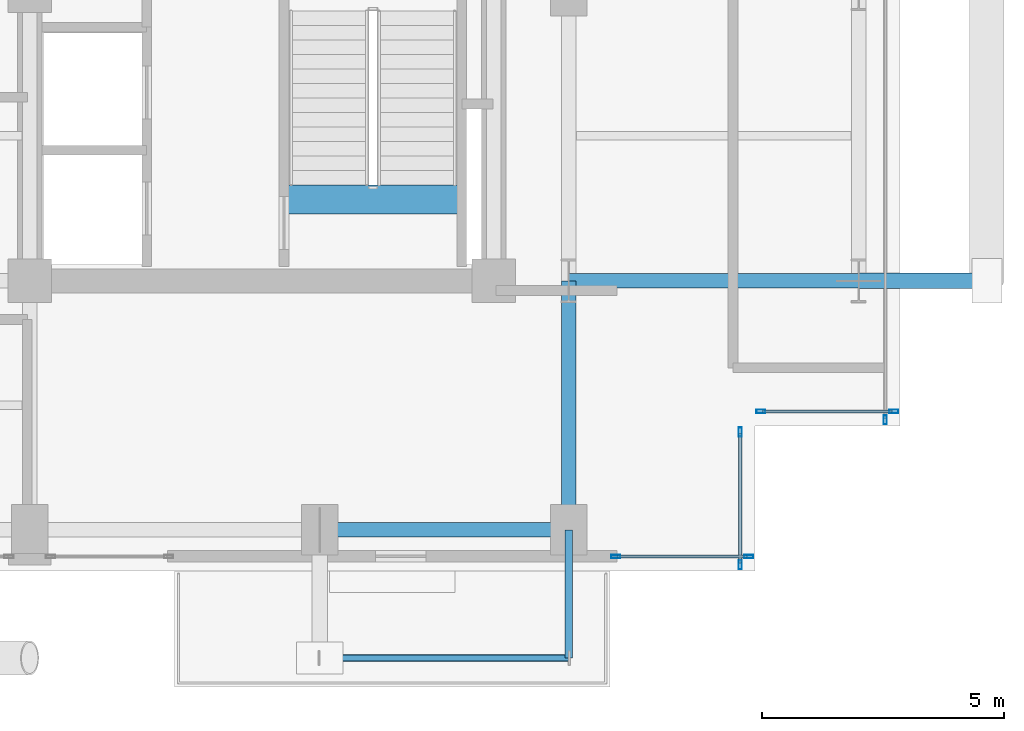
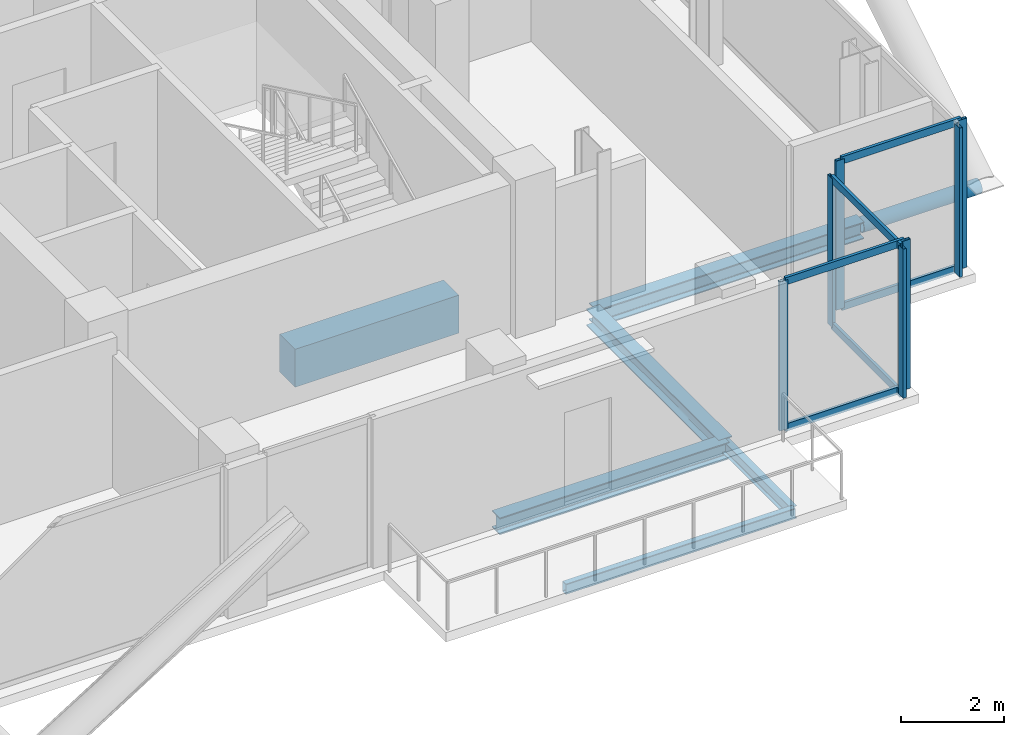
# One storey, part 11 of 25: 14 members, 6 beams, 4 elements without a shape of their own.
"""IFC4 building model written with IfcOpenShell, lengths in metres."""

from ifc_helpers import new_model, si_unit, direction, frame, origin, origin_2d, place, context, subcontext, project, spatial, rectangle, hollow_rectangle, hollow_circle, i_section, extrude, material, layer, layer_set, material_profile, profile_set, type_object, element, aggregate, save


model = new_model("IFC4")

# Units and contexts
model_context = context("Model", 3, precision=1e-05, world=origin(), true_north=direction((0.0, 1.0)))
body_context = subcontext(model_context, "Body", "Model", "MODEL_VIEW")
ifc_project = project(units=[si_unit("LENGTHUNIT", "METRE"), si_unit("AREAUNIT", "SQUARE_METRE"), si_unit("VOLUMEUNIT", "CUBIC_METRE"), si_unit("PLANEANGLEUNIT", "RADIAN"), si_unit("MASSUNIT", "GRAM", prefix="KILO"), si_unit("THERMODYNAMICTEMPERATUREUNIT", "KELVIN"), si_unit("POWERUNIT", "WATT")], contexts=[model_context])

# Site, building, storey
site_placement = place(None, origin())
site = spatial("IfcSite", under=ifc_project, at=site_placement, CompositionType="ELEMENT")
building_placement = place(site_placement, origin())
building = spatial("IfcBuilding", under=site, at=building_placement, Name="Svarakhadi Broadcast Tower", CompositionType="ELEMENT")
storey_placement = place(building_placement, frame((0.0, 0.0, 227.39990234375)))
storey = spatial("IfcBuildingStorey", under=building, at=storey_placement, Name="L56", CompositionType="ELEMENT", Elevation=227.39990234375)

# Curtain wall, member
ifc_material_1 = material(Name="Anodised Bronze Aluminium AA 6063-T6", Category="aluminium")
ifc_layer = layer(ifc_material_1, 0.18994140625)
ifc_layer_set = layer_set([ifc_layer], Name="Anodised Bronze Aluminium AA 6063-T6")
curtain_wall_type = type_object("IfcCurtainWallType", Name="CW_Sys_04", PredefinedType="NOTDEFINED", material=ifc_layer_set)
curtain_wall_1_placement = place(storey_placement, origin())
curtain_wall_1 = element("IfcCurtainWall", 1, at=curtain_wall_1_placement, inside=storey, type_object=curtain_wall_type, Name="L56 Unitised Facade Curtain Wall 13", PredefinedType="NOTDEFINED")
ifc_material_profile_1 = material_profile(ifc_material_1, hollow_rectangle(XDim=0.070068359375, YDim=0.18994140625, WallThickness=0.005615234375, at=origin_2d()), Name="ALU MULLION 190x70x6")
ifc_profile_set_1 = profile_set([ifc_material_profile_1], Name="Anodised Bronze Aluminium AA 6063-T6")
member_type_1 = type_object("IfcMemberType", Name="CW_Sys_04_Mul", PredefinedType="MULLION", material=ifc_profile_set_1)
member_1_placement = place(storey_placement, frame((41.699951171875, 3.125, 0.0), z_axis=(0.0, 0.0, 1.0), x_axis=(1.0, 0.0, 0.0)))
member_1 = element("IfcMember", 2, at=member_1_placement, type_object=member_type_1, Name="CW-04 mullion 2", PredefinedType="MULLION", context=body_context, shape_type="SweptSolid", body=[
    extrude(hollow_rectangle(XDim=0.070068359375, YDim=0.18994140625, WallThickness=0.005615234375, at=origin_2d()), origin(), (0.0, 0.0, 1.0), 3.5400390625),
])
aggregate(curtain_wall_1, [member_1])

# Curtain wall, members
curtain_wall_2_placement = place(storey_placement, origin())
curtain_wall_2 = element("IfcCurtainWall", 3, at=curtain_wall_2_placement, inside=storey, type_object=curtain_wall_type, Name="L56 Unitised Facade Curtain Wall 14", PredefinedType="NOTDEFINED")
member_2_placement = place(storey_placement, frame((41.875, 3.300048828125, 0.0), z_axis=(0.0, 0.0, 1.0), x_axis=(0.0, -1.0, 0.0)))
member_2 = element("IfcMember", 4, at=member_2_placement, type_object=member_type_1, Name="CW-04 mullion 1", PredefinedType="MULLION", context=body_context, shape_type="SweptSolid", body=[
    extrude(hollow_rectangle(XDim=0.070068359375, YDim=0.18994140625, WallThickness=0.005615234375, at=origin_2d()), origin(), (0.0, 0.0, 1.0), 3.5400390625),
])
member_3_placement = place(storey_placement, frame((39.125, 3.300048828125, 0.0), z_axis=(0.0, 0.0, 1.0), x_axis=(0.0, -1.0, 0.0)))
member_3 = element("IfcMember", 5, at=member_3_placement, type_object=member_type_1, Name="CW-04 mullion 2", PredefinedType="MULLION", context=body_context, shape_type="SweptSolid", body=[
    extrude(hollow_rectangle(XDim=0.070068359375, YDim=0.18994140625, WallThickness=0.005615234375, at=origin_2d()), origin(), (0.0, 0.0, 1.0), 3.5400390625),
])

curtain_wall_3_placement = place(storey_placement, origin())
curtain_wall_3 = element("IfcCurtainWall", 6, at=curtain_wall_3_placement, inside=storey, type_object=curtain_wall_type, Name="L56 Unitised Facade Curtain Wall 15", PredefinedType="NOTDEFINED")
member_4_placement = place(storey_placement, frame((38.699951171875, 2.875, 0.0), z_axis=(0.0, 0.0, 1.0), x_axis=(1.0, 0.0, 0.0)))
member_4 = element("IfcMember", 7, at=member_4_placement, type_object=member_type_1, Name="CW-04 mullion 1", PredefinedType="MULLION", context=body_context, shape_type="SweptSolid", body=[
    extrude(hollow_rectangle(XDim=0.070068359375, YDim=0.18994140625, WallThickness=0.005615234375, at=origin_2d()), origin(), (0.0, 0.0, 1.0), 3.5400390625),
])
member_5_placement = place(storey_placement, frame((38.699951171875, 0.125, 0.0), z_axis=(0.0, 0.0, 1.0), x_axis=(1.0, 0.0, 0.0)))
member_5 = element("IfcMember", 8, at=member_5_placement, type_object=member_type_1, Name="CW-04 mullion 2", PredefinedType="MULLION", context=body_context, shape_type="SweptSolid", body=[
    extrude(hollow_rectangle(XDim=0.070068359375, YDim=0.18994140625, WallThickness=0.005615234375, at=origin_2d()), origin(), (0.0, 0.0, 1.0), 3.5400390625),
])

curtain_wall_4_placement = place(storey_placement, origin())
curtain_wall_4 = element("IfcCurtainWall", 9, at=curtain_wall_4_placement, inside=storey, type_object=curtain_wall_type, Name="L56 South Curtain Wall 16", PredefinedType="NOTDEFINED")
member_6_placement = place(storey_placement, frame((38.875, 0.300048828125, 0.0), z_axis=(0.0, 0.0, 1.0), x_axis=(0.0, -1.0, 0.0)))
member_6 = element("IfcMember", 10, at=member_6_placement, type_object=member_type_1, Name="CW-04 mullion 1", PredefinedType="MULLION", context=body_context, shape_type="SweptSolid", body=[
    extrude(hollow_rectangle(XDim=0.070068359375, YDim=0.18994140625, WallThickness=0.005615234375, at=origin_2d()), origin(), (0.0, 0.0, 1.0), 3.5400390625),
])
member_7_placement = place(storey_placement, frame((36.125, 0.300048828125, 0.0), z_axis=(0.0, 0.0, 1.0), x_axis=(0.0, -1.0, 0.0)))
member_7 = element("IfcMember", 11, at=member_7_placement, type_object=member_type_1, Name="CW-04 mullion 2", PredefinedType="MULLION", context=body_context, shape_type="SweptSolid", body=[
    extrude(hollow_rectangle(XDim=0.070068359375, YDim=0.18994140625, WallThickness=0.005615234375, at=origin_2d()), origin(), (0.0, 0.0, 1.0), 3.5400390625),
])

# Member
ifc_material_profile_2 = material_profile(ifc_material_1, hollow_rectangle(XDim=0.06494140625, YDim=0.175048828125, WallThickness=0.0048828125, at=origin_2d()), Name="ALU TRANSOM 175x65x5")
ifc_profile_set_2 = profile_set([ifc_material_profile_2], Name="Anodised Bronze Aluminium AA 6063-T6")
member_type_2 = type_object("IfcMemberType", Name="CW_Sys_04_Trn", PredefinedType="USERDEFINED", material=ifc_profile_set_2)
member_8_placement = place(storey_placement, frame((41.840087890625, 3.300048828125, 0.03271484375), z_axis=(-1.0, 0.0, 0.0), x_axis=(0.0, -1.0, 0.0)))
member_8 = element("IfcMember", 12, at=member_8_placement, type_object=member_type_2, Name="CW-04 transom 1.1", ObjectType="TRANSOM", PredefinedType="USERDEFINED", context=body_context, shape_type="SweptSolid", body=[
    extrude(hollow_rectangle(XDim=0.06494140625, YDim=0.175048828125, WallThickness=0.0048828125, at=origin_2d()), origin(), (0.0, 0.0, 1.0), 2.68017578125),
])

member_9_placement = place(storey_placement, frame((41.840087890625, 3.300048828125, 3.507568359375), z_axis=(-1.0, 0.0, 0.0), x_axis=(0.0, -1.0, 0.0)))
member_9 = element("IfcMember", 13, at=member_9_placement, type_object=member_type_2, Name="CW-04 transom 1.2", ObjectType="TRANSOM", PredefinedType="USERDEFINED", context=body_context, shape_type="SweptSolid", body=[
    extrude(hollow_rectangle(XDim=0.06494140625, YDim=0.175048828125, WallThickness=0.0048828125, at=origin_2d()), origin(), (0.0, 0.0, 1.0), 2.68017578125),
])

aggregate(curtain_wall_2, [member_2, member_3, member_8, member_9])

member_10_placement = place(storey_placement, frame((38.699951171875, 2.840087890625, 0.03271484375), z_axis=(0.0, -1.0, 0.0), x_axis=(1.0, 0.0, 0.0)))
member_10 = element("IfcMember", 14, at=member_10_placement, type_object=member_type_2, Name="CW-04 transom 1.1", ObjectType="TRANSOM", PredefinedType="USERDEFINED", context=body_context, shape_type="SweptSolid", body=[
    extrude(hollow_rectangle(XDim=0.06494140625, YDim=0.175048828125, WallThickness=0.0048828125, at=origin_2d()), origin(), (0.0, 0.0, 1.0), 2.68017578125),
])

member_11_placement = place(storey_placement, frame((38.699951171875, 2.840087890625, 3.507568359375), z_axis=(0.0, -1.0, 0.0), x_axis=(1.0, 0.0, 0.0)))
member_11 = element("IfcMember", 15, at=member_11_placement, type_object=member_type_2, Name="CW-04 transom 1.2", ObjectType="TRANSOM", PredefinedType="USERDEFINED", context=body_context, shape_type="SweptSolid", body=[
    extrude(hollow_rectangle(XDim=0.06494140625, YDim=0.175048828125, WallThickness=0.0048828125, at=origin_2d()), origin(), (0.0, 0.0, 1.0), 2.68017578125),
])

aggregate(curtain_wall_3, [member_4, member_5, member_10, member_11])

member_12_placement = place(storey_placement, frame((38.840087890625, 0.300048828125, 0.03271484375), z_axis=(-1.0, 0.0, 0.0), x_axis=(0.0, -1.0, 0.0)))
member_12 = element("IfcMember", 16, at=member_12_placement, type_object=member_type_2, Name="CW-04 transom 1.1", ObjectType="TRANSOM", PredefinedType="USERDEFINED", context=body_context, shape_type="SweptSolid", body=[
    extrude(hollow_rectangle(XDim=0.06494140625, YDim=0.175048828125, WallThickness=0.0048828125, at=origin_2d()), origin(), (0.0, 0.0, 1.0), 2.68017578125),
])

member_13_placement = place(storey_placement, frame((38.840087890625, 0.300048828125, 3.507568359375), z_axis=(-1.0, 0.0, 0.0), x_axis=(0.0, -1.0, 0.0)))
member_13 = element("IfcMember", 17, at=member_13_placement, type_object=member_type_2, Name="CW-04 transom 1.2", ObjectType="TRANSOM", PredefinedType="USERDEFINED", context=body_context, shape_type="SweptSolid", body=[
    extrude(hollow_rectangle(XDim=0.06494140625, YDim=0.175048828125, WallThickness=0.0048828125, at=origin_2d()), origin(), (0.0, 0.0, 1.0), 2.68017578125),
])

aggregate(curtain_wall_4, [member_6, member_7, member_12, member_13])

# Beam
ifc_material_2 = material(Name="Concrete C50/60 (IS 456 M60)", Category="concrete")
ifc_material_profile_3 = material_profile(ifc_material_2, rectangle(XDim=0.60009765625, YDim=0.89990234375, at=origin_2d()), Name="RC 600x900")
ifc_profile_set_3 = profile_set([ifc_material_profile_3], Name="Concrete C50/60 (IS 456 M60)")
beam_type_1 = type_object("IfcBeamType", Name="Coupling_RC600", PredefinedType="USERDEFINED", material=ifc_profile_set_3)
beam_1_placement = place(storey_placement, frame((29.260009765625, 7.679931640625, -0.449951171875), z_axis=(1.0, 0.0, 0.0), x_axis=(0.0, 1.0, 0.0)))
element("IfcBeam", 18, at=beam_1_placement, inside=storey, type_object=beam_type_1, Name="L56 Stair ST-02 Landing Throat Trimmer Beam CB-01", ObjectType="GIRDER", PredefinedType="USERDEFINED", context=body_context, shape_type="SweptSolid", body=[
    extrude(rectangle(XDim=0.60009765625, YDim=0.89990234375, at=origin_2d()), origin(), (0.0, 0.0, 1.0), 3.679931640625),
])

# Member
ifc_material_3 = material(Name="Steel S460ML (IS 2062 E450BR)", Category="steel")
ifc_material_profile_4 = material_profile(ifc_material_3, hollow_circle(Radius=0.161865234375, WallThickness=0.01611328125, at=origin_2d()), Name="CHS 323.9x16")
ifc_profile_set_4 = profile_set([ifc_material_profile_4], Name="Steel S460ML (IS 2062 E450BR)")
member_type_3 = type_object("IfcMemberType", Name="Exo_Radial_Strut_Z2", PredefinedType="STRUT", material=ifc_profile_set_4)
member_14_placement = place(storey_placement, frame((43.800048828125, 6.0, -0.371826171875), z_axis=(-1.0, 0.0, 0.0), x_axis=(0.0, -1.0, 0.0)))
element("IfcMember", 19, at=member_14_placement, inside=storey, type_object=member_type_3, Name="L56 Exoskeleton Radial Tie Strut E07", PredefinedType="STRUT", context=body_context, shape_type="SweptSolid", body=[
    extrude(hollow_circle(Radius=0.161865234375, WallThickness=0.01611328125, at=origin_2d()), origin(), (0.0, 0.0, 1.0), 2.650146484375),
])

# Beams
ifc_material_4 = material(Name="Steel S355J2 (IS 2062 E350C)", Category="steel")
ifc_material_profile_5 = material_profile(ifc_material_4, i_section(OverallWidth=0.300048828125, OverallDepth=0.39990234375, WebThickness=0.013427734375, FlangeThickness=0.02392578125, FilletRadius=0.027099609375, at=origin_2d()), Name="WPB 400x300x155")
ifc_profile_set_5 = profile_set([ifc_material_profile_5], Name="Steel S355J2 (IS 2062 E350C)")
beam_type_2 = type_object("IfcBeamType", Name="Girder_WPB400", PredefinedType="USERDEFINED", material=ifc_profile_set_5)
beam_2_placement = place(storey_placement, frame((30.0, 0.85009765625, -0.409912109375), z_axis=(1.0, 0.0, 0.0), x_axis=(0.0, 1.0, 0.0)))
element("IfcBeam", 20, at=beam_2_placement, inside=storey, type_object=beam_type_2, Name="L56 Primary E-W Girder G008", ObjectType="GIRDER", PredefinedType="USERDEFINED", context=body_context, shape_type="SweptSolid", body=[
    extrude(i_section(OverallWidth=0.300048828125, OverallDepth=0.39990234375, WebThickness=0.013427734375, FlangeThickness=0.02392578125, FilletRadius=0.027099609375, at=origin_2d()), origin(), (0.0, 0.0, 1.0), 5.14990234375),
])
beam_3_placement = place(storey_placement, frame((35.14990234375, 6.0, -0.409912109375), z_axis=(1.0, 0.0, 0.0), x_axis=(0.0, 1.0, 0.0)))
element("IfcBeam", 21, at=beam_3_placement, inside=storey, type_object=beam_type_2, Name="L56 Primary E-W Girder G014", ObjectType="GIRDER", PredefinedType="USERDEFINED", context=body_context, shape_type="SweptSolid", body=[
    extrude(i_section(OverallWidth=0.300048828125, OverallDepth=0.39990234375, WebThickness=0.013427734375, FlangeThickness=0.02392578125, FilletRadius=0.027099609375, at=origin_2d()), origin(), (0.0, 0.0, 1.0), 6.0),
])
beam_4_placement = place(storey_placement, frame((35.14990234375, 0.85009765625, -0.409912109375), z_axis=(0.0, 1.0, 0.0), x_axis=(-1.0, 0.0, 0.0)))
element("IfcBeam", 22, at=beam_4_placement, inside=storey, type_object=beam_type_2, Name="L56 Primary N-S Girder G056", ObjectType="GIRDER", PredefinedType="USERDEFINED", context=body_context, shape_type="SweptSolid", body=[
    extrude(i_section(OverallWidth=0.300048828125, OverallDepth=0.39990234375, WebThickness=0.013427734375, FlangeThickness=0.02392578125, FilletRadius=0.027099609375, at=origin_2d()), origin(), (0.0, 0.0, 1.0), 5.14990234375),
])
ifc_material_profile_6 = material_profile(ifc_material_4, i_section(OverallWidth=0.14990234375, OverallDepth=0.300048828125, WebThickness=0.007080078125, FlangeThickness=0.0107421875, FilletRadius=0.014892578125, at=origin_2d()), Name="NPB 300x150x37")
ifc_profile_set_6 = profile_set([ifc_material_profile_6], Name="Steel S355J2 (IS 2062 E350C)")
beam_type_3 = type_object("IfcBeamType", Name="Spandrel_NPB300", PredefinedType="SPANDREL", material=ifc_profile_set_6)
beam_5_placement = place(storey_placement, frame((35.14990234375, 0.85009765625, -0.375), z_axis=(0.0, -1.0, 0.0), x_axis=(1.0, 0.0, 0.0)))
element("IfcBeam", 23, at=beam_5_placement, inside=storey, type_object=beam_type_3, Name="L56 Balcony Cantilever Bracket 1B", PredefinedType="SPANDREL", context=body_context, shape_type="SweptSolid", body=[
    extrude(i_section(OverallWidth=0.14990234375, OverallDepth=0.300048828125, WebThickness=0.007080078125, FlangeThickness=0.0107421875, FilletRadius=0.014892578125, at=origin_2d()), origin(), (0.0, 0.0, 1.0), 2.650146484375),
])
ifc_material_profile_7 = material_profile(ifc_material_3, hollow_rectangle(XDim=0.14990234375, YDim=0.25, WallThickness=0.010009765625, InnerFilletRadius=0.010009765625, OuterFilletRadius=0.02001953125, at=origin_2d()), Name="RHS 250x150x10")
ifc_profile_set_7 = profile_set([ifc_material_profile_7], Name="Steel S460ML (IS 2062 E450BR)")
beam_type_4 = type_object("IfcBeamType", Name="Spandrel_RHS250", PredefinedType="SPANDREL", material=ifc_profile_set_7)
beam_6_placement = place(storey_placement, frame((30.0, -1.800048828125, -0.349853515625), z_axis=(1.0, 0.0, 0.0), x_axis=(0.0, 1.0, 0.0)))
element("IfcBeam", 24, at=beam_6_placement, inside=storey, type_object=beam_type_4, Name="L56 Balcony Outer Spandrel 1F", PredefinedType="SPANDREL", context=body_context, shape_type="SweptSolid", body=[
    extrude(hollow_rectangle(XDim=0.14990234375, YDim=0.25, WallThickness=0.010009765625, InnerFilletRadius=0.010009765625, OuterFilletRadius=0.02001953125, at=origin_2d()), origin(), (0.0, 0.0, 1.0), 5.14990234375),
])

save(model, "model.ifc")
